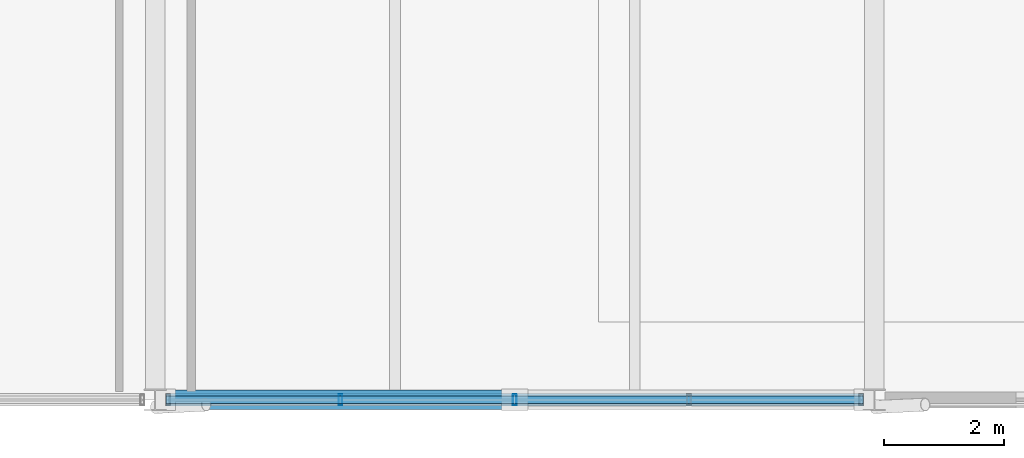
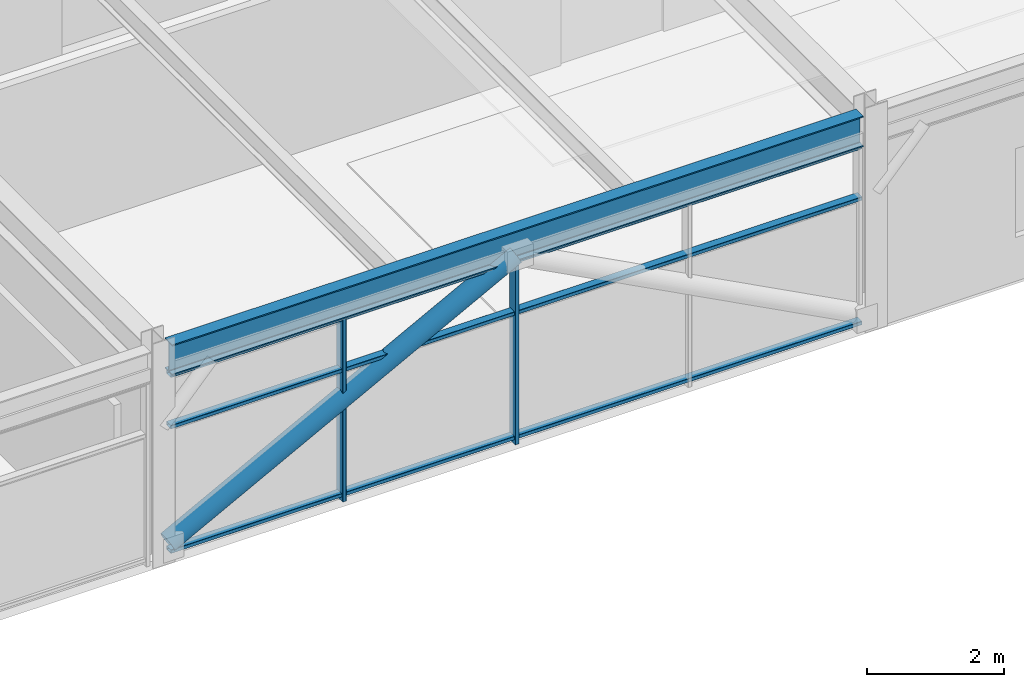
# One storey, part 27 of 40: 6 members, 1 beam, 1 element without a shape of its own.
"""IFC4 building model written with IfcOpenShell, lengths in metres."""

from ifc_helpers import new_model, si_unit, direction, frame, origin, origin_2d, place, context, subcontext, project, spatial, hollow_rectangle, hollow_circle, i_section, extrude, material, material_profile, profile_set, type_object, element, aggregate, save


model = new_model("IFC4")

# Units and contexts
model_context = context("Model", 3, precision=1e-05, world=origin(), true_north=direction((0.0, 1.0)))
body_context = subcontext(model_context, "Body", "Model", "MODEL_VIEW")
ifc_project = project(units=[si_unit("LENGTHUNIT", "METRE"), si_unit("AREAUNIT", "SQUARE_METRE"), si_unit("VOLUMEUNIT", "CUBIC_METRE"), si_unit("PLANEANGLEUNIT", "RADIAN"), si_unit("MASSUNIT", "GRAM", prefix="KILO")], contexts=[model_context])

# Site, building, storey
site_placement = place(None, origin())
site = spatial("IfcSite", under=ifc_project, at=site_placement, CompositionType="ELEMENT")
building_placement = place(site_placement, origin())
building = spatial("IfcBuilding", under=site, at=building_placement, Name="Girod Span Mobility Hub", CompositionType="ELEMENT")
storey_placement = place(building_placement, frame((0.0, 0.0, 53.60009765625)))
storey = spatial("IfcBuildingStorey", under=building, at=storey_placement, Name="L13", CompositionType="ELEMENT", Elevation=53.60009765625)

# Beam
ifc_material_1 = material(Name="Steel A992 Grade 50", Category="steel")
ifc_material_profile_1 = material_profile(ifc_material_1, i_section(OverallWidth=0.2119140625, OverallDepth=0.5439453125, WebThickness=0.01318359375, FlangeThickness=0.021240234375, FilletRadius=0.014892578125, at=origin_2d()), Name="W21X83")
ifc_profile_set_1 = profile_set([ifc_material_profile_1], Name="Steel A992 Grade 50")
beam_type = type_object("IfcBeamType", Name="BM-STL-W21X83", PredefinedType="SPANDREL", material=ifc_profile_set_1)
beam_placement = place(storey_placement, frame((108.181396484375, 45.0, 3.54296875), z_axis=(1.0, 0.0, 0.0), x_axis=(0.0, 1.0, 0.0)))
element("IfcBeam", 1, at=beam_placement, inside=storey, type_object=beam_type, Name="Girder 10-11/D L13", PredefinedType="SPANDREL", context=body_context, shape_type="SweptSolid", body=[
    extrude(i_section(OverallWidth=0.2119140625, OverallDepth=0.5439453125, WebThickness=0.01318359375, FlangeThickness=0.021240234375, FilletRadius=0.014892578125, at=origin_2d()), origin(), (0.0, 0.0, 1.0), 11.63720703125),
])

# Curtain wall, members
ifc_material_2 = material(Name="Thermally Broken Anodised Aluminium", Category="aluminium")
curtain_wall_type = type_object("IfcCurtainWallType", Name="CW-1164X327", PredefinedType="USERDEFINED", material=ifc_material_2)
curtain_wall_placement = place(storey_placement, origin())
curtain_wall = element("IfcCurtainWall", 2, at=curtain_wall_placement, inside=storey, type_object=curtain_wall_type, Name="Unitised Curtain Wall CW-L13-S10 L13", ObjectType="UNITISED CURTAIN WALL", PredefinedType="USERDEFINED")
ifc_material_3 = material(Name="Thermally Broken Anodised Aluminium", Category="aluminium")
ifc_material_profile_2 = material_profile(ifc_material_3, hollow_rectangle(XDim=0.179931640625, YDim=0.06494140625, WallThickness=0.00390625, InnerFilletRadius=0.00390625, OuterFilletRadius=0.008056640625, at=origin_2d()), Name="CW-ML-65X180")
ifc_profile_set_2 = profile_set([ifc_material_profile_2], Name="Thermally Broken Anodised Aluminium")
member_type_1 = type_object("IfcMemberType", Name="CWM-ML-2", PredefinedType="MULLION", material=ifc_profile_set_2)
member_1_placement = place(storey_placement, frame((111.09130859375, 45.0, 0.0), z_axis=(0.0, 0.0, 1.0), x_axis=(0.0, 1.0, 0.0)))
member_1 = element("IfcMember", 3, at=member_1_placement, type_object=member_type_1, Name="Curtain Wall Mullion CW-L13-S10-M1", PredefinedType="MULLION", context=body_context, shape_type="SweptSolid", body=[
    extrude(hollow_rectangle(XDim=0.179931640625, YDim=0.06494140625, WallThickness=0.00390625, InnerFilletRadius=0.00390625, OuterFilletRadius=0.008056640625, at=origin_2d()), origin(), (0.0, 0.0, 1.0), 3.27099609375),
])
member_2_placement = place(storey_placement, frame((114.0, 45.0, 0.0), z_axis=(0.0, 0.0, 1.0), x_axis=(0.0, 1.0, 0.0)))
member_2 = element("IfcMember", 4, at=member_2_placement, type_object=member_type_1, Name="Curtain Wall Mullion CW-L13-S10-M2", PredefinedType="MULLION", context=body_context, shape_type="SweptSolid", body=[
    extrude(hollow_rectangle(XDim=0.179931640625, YDim=0.06494140625, WallThickness=0.00390625, InnerFilletRadius=0.00390625, OuterFilletRadius=0.008056640625, at=origin_2d()), origin(), (0.0, 0.0, 1.0), 3.27099609375),
])
ifc_material_4 = material(Name="Thermally Broken Anodised Aluminium", Category="aluminium")
ifc_material_profile_3 = material_profile(ifc_material_4, hollow_rectangle(XDim=0.135009765625, YDim=0.06494140625, WallThickness=0.00390625, InnerFilletRadius=0.00390625, OuterFilletRadius=0.008056640625, at=origin_2d()), Name="CW-TR-65X135")
ifc_profile_set_3 = profile_set([ifc_material_profile_3], Name="Thermally Broken Anodised Aluminium")
member_type_2 = type_object("IfcMemberType", Name="CWM-TR-2", PredefinedType="USERDEFINED", material=ifc_profile_set_3)
member_3_placement = place(storey_placement, frame((108.1826171875, 45.0, 0.107421875), z_axis=(1.0, 0.0, 0.0), x_axis=(0.0, 1.0, 0.0)))
member_3 = element("IfcMember", 5, at=member_3_placement, type_object=member_type_2, Name="Curtain Wall Transom CW-L13-S10-T1", ObjectType="TRANSOM", PredefinedType="USERDEFINED", context=body_context, shape_type="SweptSolid", body=[
    extrude(hollow_rectangle(XDim=0.135009765625, YDim=0.06494140625, WallThickness=0.00390625, InnerFilletRadius=0.00390625, OuterFilletRadius=0.008056640625, at=origin_2d()), origin(), (0.0, 0.0, 1.0), 11.634765625),
])
member_4_placement = place(storey_placement, frame((108.1826171875, 45.0, 2.322509765625), z_axis=(1.0, 0.0, 0.0), x_axis=(0.0, 1.0, 0.0)))
member_4 = element("IfcMember", 6, at=member_4_placement, type_object=member_type_2, Name="Curtain Wall Transom CW-L13-S10-T2", ObjectType="TRANSOM", PredefinedType="USERDEFINED", context=body_context, shape_type="SweptSolid", body=[
    extrude(hollow_rectangle(XDim=0.135009765625, YDim=0.06494140625, WallThickness=0.00390625, InnerFilletRadius=0.00390625, OuterFilletRadius=0.008056640625, at=origin_2d()), origin(), (0.0, 0.0, 1.0), 11.634765625),
])
member_5_placement = place(storey_placement, frame((108.1826171875, 45.0, 3.23828125), z_axis=(1.0, 0.0, 0.0), x_axis=(0.0, 1.0, 0.0)))
member_5 = element("IfcMember", 7, at=member_5_placement, type_object=member_type_2, Name="Curtain Wall Transom CW-L13-S10-T3", ObjectType="TRANSOM", PredefinedType="USERDEFINED", context=body_context, shape_type="SweptSolid", body=[
    extrude(hollow_rectangle(XDim=0.135009765625, YDim=0.06494140625, WallThickness=0.00390625, InnerFilletRadius=0.00390625, OuterFilletRadius=0.008056640625, at=origin_2d()), origin(), (0.0, 0.0, 1.0), 11.634765625),
])
aggregate(curtain_wall, [member_1, member_2, member_3, member_4, member_5])

# Member
ifc_material_5 = material(Name="Steel HSS A500 Grade C", Category="steel")
ifc_material_profile_4 = material_profile(ifc_material_5, hollow_circle(Radius=0.162109375, WallThickness=0.01171875, at=origin_2d()), Name="HSS324X12.7")
ifc_profile_set_4 = profile_set([ifc_material_profile_4], Name="Steel HSS A500 Grade C")
member_type_3 = type_object("IfcMemberType", Name="MB-BR-HSS324", PredefinedType="BRACE", material=ifc_profile_set_4)
member_6_placement = place(storey_placement, frame((108.16455078125, 45.0, 0.25), z_axis=(0.884322806582, 0.0, 0.466875972565), x_axis=(0.0, 1.0, 0.0)))
element("IfcMember", 8, at=member_6_placement, inside=storey, type_object=member_type_3, Name="Upper Diagrid Brace 10/D-L L13", PredefinedType="BRACE", context=body_context, shape_type="SweptSolid", body=[
    extrude(hollow_circle(Radius=0.162109375, WallThickness=0.01171875, at=origin_2d()), origin(), (0.0, 0.0, 1.0), 6.598876953125),
])

save(model, "model.ifc")
